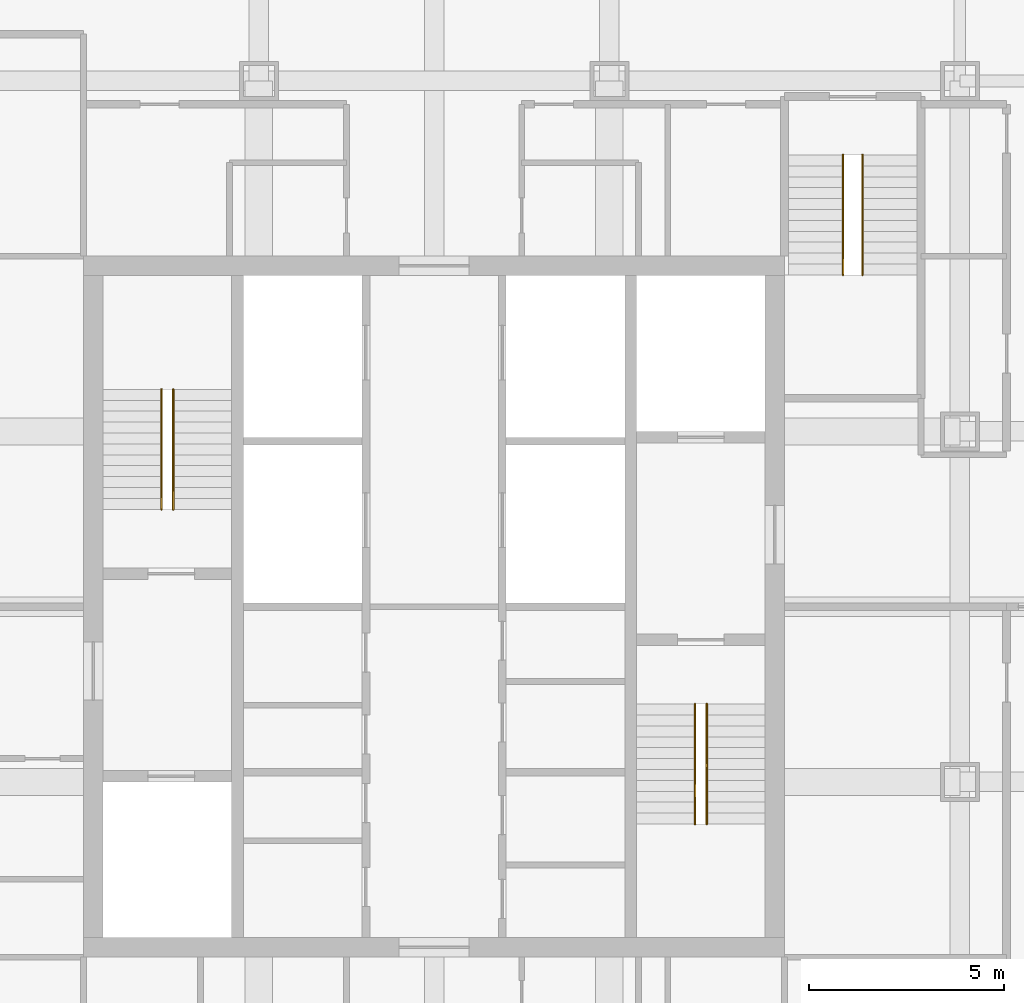
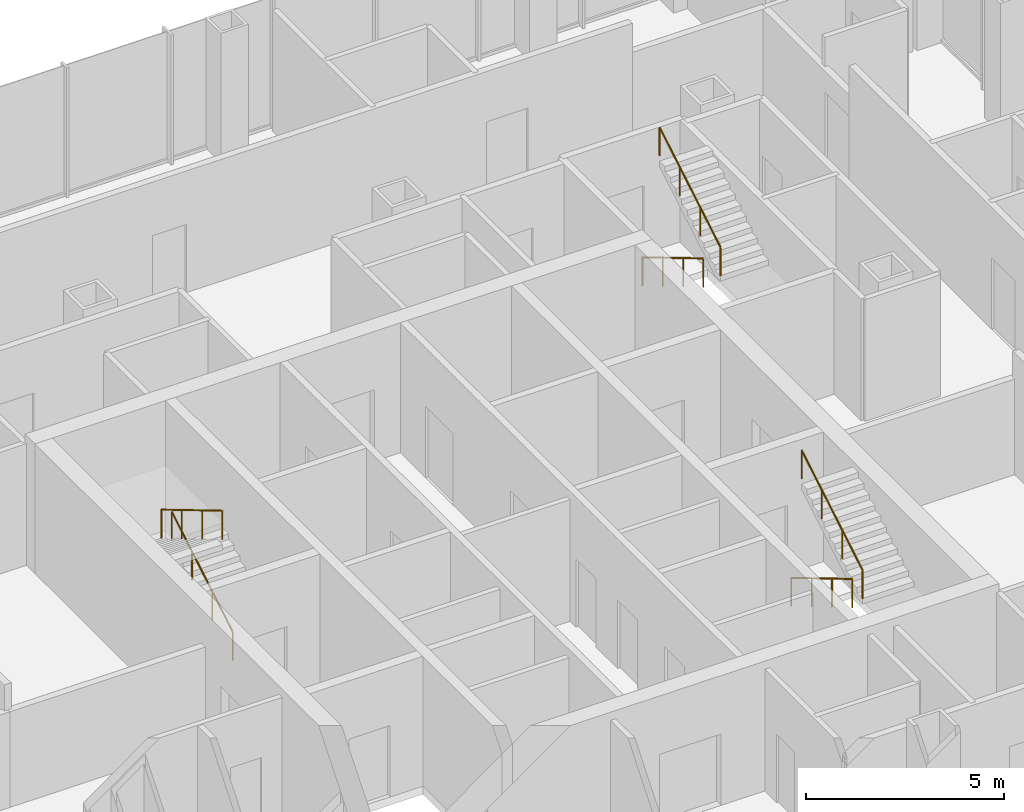
# One storey, part 11 of 11: 6 railings.
"""IFC4 building model written with IfcOpenShell, lengths in metres."""

from ifc_helpers import new_model, si_unit, direction, frame, origin, origin_2d, place, context, subcontext, project, spatial, circle, extrude, material, type_object, element, save


model = new_model("IFC4")

# Units and contexts
model_context = context("Model", 3, precision=1e-05, world=origin(), true_north=direction((0.0, 1.0)))
body_context = subcontext(model_context, "Body", "Model", "MODEL_VIEW")
ifc_project = project(units=[si_unit("LENGTHUNIT", "METRE"), si_unit("AREAUNIT", "SQUARE_METRE"), si_unit("VOLUMEUNIT", "CUBIC_METRE"), si_unit("PLANEANGLEUNIT", "RADIAN"), si_unit("MASSUNIT", "GRAM", prefix="KILO")], contexts=[model_context])

# Site, building, storey
site_placement = place(None, origin())
site = spatial("IfcSite", under=ifc_project, at=site_placement, CompositionType="ELEMENT")
building_placement = place(site_placement, origin())
building = spatial("IfcBuilding", under=site, at=building_placement, Name="Malebo Sky Hospital", CompositionType="ELEMENT")
storey_placement = place(building_placement, frame((0.0, 0.0, 205.0)))
storey = spatial("IfcBuildingStorey", under=building, at=storey_placement, Name="L49", CompositionType="ELEMENT", Elevation=205.0)

# Railings
ifc_material = material(Name="Stainless steel tube", Category="steel")
railing_type = type_object("IfcRailingType", Name="STAIR HANDRAIL 900", PredefinedType="HANDRAIL", material=ifc_material)
railing_1_placement = place(storey_placement, frame((53.300048828125, 64.5, 0.166748046875)))
element("IfcRailing", 1, at=railing_1_placement, inside=storey, type_object=railing_type, Name="Stair handrail S1 flight 1", PredefinedType="HANDRAIL", context=body_context, shape_type="SweptSolid", body=[
    extrude(circle(Radius=0.02392578125, at=origin_2d()), frame((0.0, 0.0, 0.8759765625), z_axis=(0.0, 0.859308565015, 0.511457515432), x_axis=(-1.0, 0.0, 0.0)), (0.0, 0.0, 1.0), 3.58447265625),
    extrude(circle(Radius=0.02099609375, at=origin_2d()), origin(), (0.0, 0.0, 1.0), 0.851806640625),
    extrude(circle(Radius=0.02099609375, at=origin_2d()), frame((0.0, 1.026611328125, 0.611083984375)), (0.0, 0.0, 1.0), 0.851806640625),
    extrude(circle(Radius=0.02099609375, at=origin_2d()), frame((0.0, 2.053466796875, 1.22216796875)), (0.0, 0.0, 1.0), 0.851806640625),
    extrude(circle(Radius=0.02099609375, at=origin_2d()), frame((0.0, 3.080078125, 1.833251953125)), (0.0, 0.0, 1.0), 0.851806640625),
])
for number, where, name in (
    (2, (53.0, 67.580078125, 2.166748046875), "Stair handrail S1 flight 2"),
    (3, (66.699951171875, 59.5, 0.166748046875), "Stair handrail S2 flight 1"),
):
    element("IfcRailing", number, at=place(storey_placement, frame(where)), inside=storey, type_object=railing_type, Name=name, PredefinedType="HANDRAIL", context=body_context, shape_type="SweptSolid", body=[
        extrude(circle(Radius=0.02392578125, at=origin_2d()), frame((0.0, 0.0, 0.8759765625), z_axis=(0.0, -0.859308565015, 0.511457515432), x_axis=(1.0, 0.0, 0.0)), (0.0, 0.0, 1.0), 3.58447265625),
        extrude(circle(Radius=0.02099609375, at=origin_2d()), origin(), (0.0, 0.0, 1.0), 0.851806640625),
        extrude(circle(Radius=0.02099609375, at=origin_2d()), frame((0.0, -1.026611328125, 0.611083984375)), (0.0, 0.0, 1.0), 0.851806640625),
        extrude(circle(Radius=0.02099609375, at=origin_2d()), frame((0.0, -2.053466796875, 1.22216796875)), (0.0, 0.0, 1.0), 0.851806640625),
        extrude(circle(Radius=0.02099609375, at=origin_2d()), frame((0.0, -3.080078125, 1.833251953125)), (0.0, 0.0, 1.0), 0.851806640625),
    ])
railing_2_placement = place(storey_placement, frame((67.0, 56.419921875, 2.166748046875)))
element("IfcRailing", 4, at=railing_2_placement, inside=storey, type_object=railing_type, Name="Stair handrail S2 flight 2", PredefinedType="HANDRAIL", context=body_context, shape_type="SweptSolid", body=[
    extrude(circle(Radius=0.02392578125, at=origin_2d()), frame((0.0, 0.0, 0.8759765625), z_axis=(0.0, 0.859308565015, 0.511457515432), x_axis=(-1.0, 0.0, 0.0)), (0.0, 0.0, 1.0), 3.58447265625),
    extrude(circle(Radius=0.02099609375, at=origin_2d()), origin(), (0.0, 0.0, 1.0), 0.851806640625),
    extrude(circle(Radius=0.02099609375, at=origin_2d()), frame((0.0, 1.026611328125, 0.611083984375)), (0.0, 0.0, 1.0), 0.851806640625),
    extrude(circle(Radius=0.02099609375, at=origin_2d()), frame((0.0, 2.053466796875, 1.22216796875)), (0.0, 0.0, 1.0), 0.851806640625),
    extrude(circle(Radius=0.02099609375, at=origin_2d()), frame((0.0, 3.080078125, 1.833251953125)), (0.0, 0.0, 1.0), 0.851806640625),
])
railing_3_placement = place(storey_placement, frame((70.5, 73.60009765625, 0.166748046875)))
element("IfcRailing", 5, at=railing_3_placement, inside=storey, type_object=railing_type, Name="Stair handrail S3 flight 1", PredefinedType="HANDRAIL", context=body_context, shape_type="SweptSolid", body=[
    extrude(circle(Radius=0.02392578125, at=origin_2d()), frame((0.0, 0.0, 0.8759765625), z_axis=(0.0, -0.859308565015, 0.511457515432), x_axis=(1.0, 0.0, 0.0)), (0.0, 0.0, 1.0), 3.58447265625),
    extrude(circle(Radius=0.02099609375, at=origin_2d()), origin(), (0.0, 0.0, 1.0), 0.851806640625),
    extrude(circle(Radius=0.02099609375, at=origin_2d()), frame((0.0, -1.026611328125, 0.611083984375)), (0.0, 0.0, 1.0), 0.851806640625),
    extrude(circle(Radius=0.02099609375, at=origin_2d()), frame((0.0, -2.053466796875, 1.22216796875)), (0.0, 0.0, 1.0), 0.851806640625),
    extrude(circle(Radius=0.02099609375, at=origin_2d()), frame((0.0, -3.080078125, 1.833251953125)), (0.0, 0.0, 1.0), 0.851806640625),
])
railing_4_placement = place(storey_placement, frame((71.0, 70.52001953125, 2.166748046875)))
element("IfcRailing", 6, at=railing_4_placement, inside=storey, type_object=railing_type, Name="Stair handrail S3 flight 2", PredefinedType="HANDRAIL", context=body_context, shape_type="SweptSolid", body=[
    extrude(circle(Radius=0.02392578125, at=origin_2d()), frame((0.0, 0.0, 0.8759765625), z_axis=(0.0, 0.859308565015, 0.511457515432), x_axis=(-1.0, 0.0, 0.0)), (0.0, 0.0, 1.0), 3.58447265625),
    extrude(circle(Radius=0.02099609375, at=origin_2d()), origin(), (0.0, 0.0, 1.0), 0.851806640625),
    extrude(circle(Radius=0.02099609375, at=origin_2d()), frame((0.0, 1.026611328125, 0.611083984375)), (0.0, 0.0, 1.0), 0.851806640625),
    extrude(circle(Radius=0.02099609375, at=origin_2d()), frame((0.0, 2.053466796875, 1.22216796875)), (0.0, 0.0, 1.0), 0.851806640625),
    extrude(circle(Radius=0.02099609375, at=origin_2d()), frame((0.0, 3.080078125, 1.833251953125)), (0.0, 0.0, 1.0), 0.851806640625),
])

save(model, "model.ifc")
